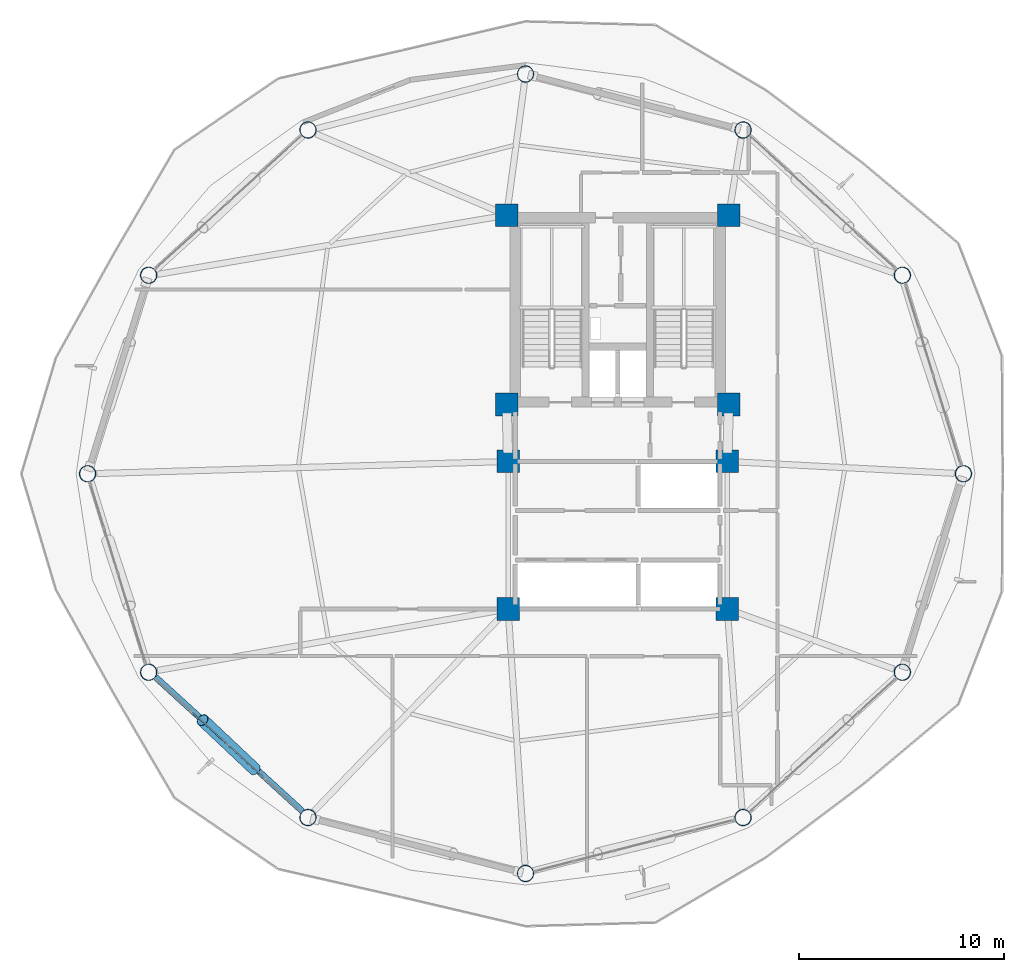
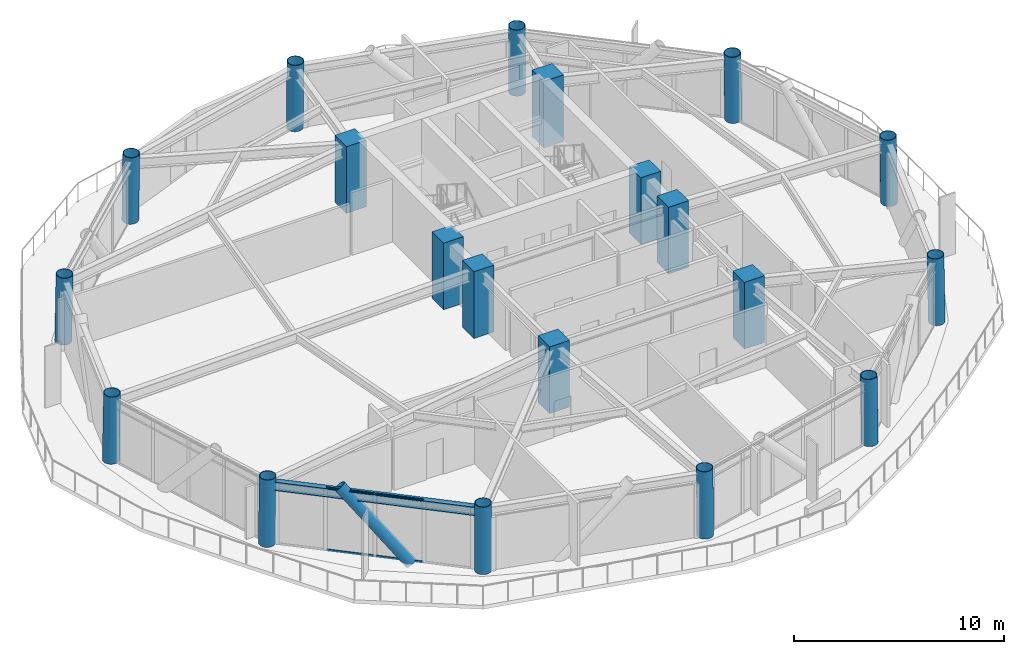
# One storey, part 1 of 23: 20 columns, 5 members, 1 beam, 1 element without a shape of its own.
"""IFC4 building model written with IfcOpenShell, lengths in metres."""

from ifc_helpers import new_model, si_unit, direction, frame, origin, origin_2d, place, context, subcontext, project, spatial, rectangle, hollow_rectangle, hollow_circle, i_section, extrude, material, layer, layer_set, material_profile, profile_set, type_object, element, aggregate, save


model = new_model("IFC4")

# Units and contexts
model_context = context("Model", 3, precision=1e-05, world=origin(), true_north=direction((0.0, 1.0)))
body_context = subcontext(model_context, "Body", "Model", "MODEL_VIEW")
ifc_project = project(units=[si_unit("LENGTHUNIT", "METRE"), si_unit("AREAUNIT", "SQUARE_METRE"), si_unit("VOLUMEUNIT", "CUBIC_METRE"), si_unit("PLANEANGLEUNIT", "RADIAN"), si_unit("MASSUNIT", "GRAM", prefix="KILO")], contexts=[model_context])

# Site, building, storey
site_placement = place(None, origin())
site = spatial("IfcSite", under=ifc_project, at=site_placement, CompositionType="ELEMENT")
building_placement = place(site_placement, origin())
building = spatial("IfcBuilding", under=site, at=building_placement, Name="Varnakorn Sky Granary", CompositionType="ELEMENT")
storey_placement = place(building_placement, frame((0.0, 0.0, 114.89990234375)))
storey = spatial("IfcBuildingStorey", under=building, at=storey_placement, Name="L28", CompositionType="ELEMENT", Elevation=114.89990234375)

# Columns
ifc_material_1 = material(Name="Steel S460M", Category="steel")
ifc_material_profile_1 = material_profile(ifc_material_1, hollow_circle(Radius=0.406494140625, WallThickness=0.030029296875, at=origin_2d()), Name="CHS 813x30")
ifc_profile_set_1 = profile_set([ifc_material_profile_1], Name="Steel S460M")
column_type_1 = type_object("IfcColumnType", Name="COL-DC-Z2", PredefinedType="COLUMN", material=ifc_profile_set_1)
for number, where, z_axis, x_axis, name in (
    (1, (19.883056640625, 0.0, 0.0), (-0.017071604527, 0.0, 0.999854269541), (0.0, -1.0, 0.0), "Drum Perimeter Column DC01 L28"),
    (2, (16.9013671875, 9.69091796875, 0.0), (-0.014741060664, -0.006173606603, 0.999872285701), (0.386294084798, -0.922375671866, 0.0), "Drum Perimeter Column DC02 L28"),
):
    element("IfcColumn", number, at=place(storey_placement, frame(where, z_axis=z_axis, x_axis=x_axis)), inside=storey, type_object=column_type_1, Name=name, PredefinedType="COLUMN", context=body_context, shape_type="SweptSolid", body=[
        extrude(hollow_circle(Radius=0.406494140625, WallThickness=0.030029296875, at=origin_2d()), origin(), (0.0, 0.0, 1.0), 3.87548828125),
    ])
for number, where, z_axis, x_axis, name in (
    (3, (9.1240234375, 16.785400390625, 0.0), (-0.008504743175, -0.010772674688, 0.999905804975), (0.784882765533, -0.619644288579, 0.0), "Drum Perimeter Column DC03 L28"),
    (4, (-1.5, 19.51708984375, 0.0), (0.0, -0.01241083843, 0.999922982579), (1.0, 0.0, 0.0), "Drum Perimeter Column DC04 L28"),
    (5, (-12.1240234375, 16.785400390625, 0.0), (0.008504743175, -0.010772674688, 0.999905804975), (0.784882765533, 0.619644288579, 0.0), "Drum Perimeter Column DC05 L28"),
):
    element("IfcColumn", number, at=place(storey_placement, frame(where, z_axis=z_axis, x_axis=x_axis)), inside=storey, type_object=column_type_1, Name=name, PredefinedType="COLUMN", context=body_context, shape_type="SweptSolid", body=[
        extrude(hollow_circle(Radius=0.406494140625, WallThickness=0.030029296875, at=origin_2d()), origin(), (0.0, 0.0, 1.0), 3.875244140625),
    ])
for number, where, z_axis, x_axis, name in (
    (6, (-19.9013671875, 9.69091796875, 0.0), (0.014741060664, -0.006173606603, 0.999872285701), (0.386294084798, 0.922375671866, 0.0), "Drum Perimeter Column DC06 L28"),
    (7, (-22.883056640625, 0.0, 0.0), (0.017071604527, 0.0, 0.999854269541), (0.0, 1.0, 0.0), "Drum Perimeter Column DC07 L28"),
    (8, (-19.9013671875, -9.69091796875, 0.0), (0.014741060664, 0.006173606603, 0.999872285701), (-0.386294084798, 0.922375671866, 0.0), "Drum Perimeter Column DC08 L28"),
):
    element("IfcColumn", number, at=place(storey_placement, frame(where, z_axis=z_axis, x_axis=x_axis)), inside=storey, type_object=column_type_1, Name=name, PredefinedType="COLUMN", context=body_context, shape_type="SweptSolid", body=[
        extrude(hollow_circle(Radius=0.406494140625, WallThickness=0.030029296875, at=origin_2d()), origin(), (0.0, 0.0, 1.0), 3.87548828125),
    ])
for number, where, z_axis, x_axis, name in (
    (9, (-12.1240234375, -16.785400390625, 0.0), (0.008504743175, 0.010772674688, 0.999905804975), (-0.784882765533, 0.619644288579, 0.0), "Drum Perimeter Column DC09 L28"),
    (10, (-1.5, -19.51708984375, 0.0), (0.0, 0.01241083843, 0.999922982579), (-1.0, 0.0, 0.0), "Drum Perimeter Column DC10 L28"),
    (11, (9.1240234375, -16.785400390625, 0.0), (-0.008504743175, 0.010772674688, 0.999905804975), (-0.784882765533, -0.619644288579, 0.0), "Drum Perimeter Column DC11 L28"),
):
    element("IfcColumn", number, at=place(storey_placement, frame(where, z_axis=z_axis, x_axis=x_axis)), inside=storey, type_object=column_type_1, Name=name, PredefinedType="COLUMN", context=body_context, shape_type="SweptSolid", body=[
        extrude(hollow_circle(Radius=0.406494140625, WallThickness=0.030029296875, at=origin_2d()), origin(), (0.0, 0.0, 1.0), 3.875244140625),
    ])
column_placement = place(storey_placement, frame((16.9013671875, -9.69091796875, 0.0), z_axis=(-0.014741060664, 0.006173606603, 0.999872285701), x_axis=(-0.386294084798, -0.922375671866, 0.0)))
element("IfcColumn", 12, at=column_placement, inside=storey, type_object=column_type_1, Name="Drum Perimeter Column DC12 L28", PredefinedType="COLUMN", context=body_context, shape_type="SweptSolid", body=[
    extrude(hollow_circle(Radius=0.406494140625, WallThickness=0.030029296875, at=origin_2d()), origin(), (0.0, 0.0, 1.0), 3.87548828125),
])
ifc_material_2 = material(Name="Concrete C60/75", Category="concrete")
ifc_material_profile_2 = material_profile(ifc_material_2, rectangle(XDim=1.10009765625, YDim=1.10009765625, at=origin_2d()), Name="RC 1100x1100")
ifc_profile_set_2 = profile_set([ifc_material_profile_2], Name="Concrete C60/75")
column_type_2 = type_object("IfcColumnType", Name="COL-MC-Z2", PredefinedType="COLUMN", material=ifc_profile_set_2)
for number, where, z_axis, x_axis, name in (
    (13, (-2.419921875, 12.6201171875, 0.0), (0.0, 0.0, 1.0), (1.0, 0.0, 0.0), "Backbone Mega-Column MC1 L28"),
    (14, (8.419921875, 12.6201171875, 0.0), (0.0, 0.0, 1.0), (1.0, 0.0, 0.0), "Backbone Mega-Column MC2 L28"),
    (15, (-2.419921875, 3.3798828125, 0.0), (0.0, 0.0, 1.0), (1.0, 0.0, 0.0), "Backbone Mega-Column MC3 L28"),
    (16, (8.419921875, 3.3798828125, 0.0), (0.0, 0.0, 1.0), (1.0, 0.0, 0.0), "Backbone Mega-Column MC4 L28"),
    (17, (-2.35009765625, 0.60009765625, 0.0), (0.0, 0.0, 1.0), (1.0, 0.0, 0.0), "Backbone Mega-Column MC5 L28"),
    (18, (8.35009765625, 0.60009765625, 0.0), (0.0, 0.0, 1.0), (1.0, 0.0, 0.0), "Backbone Mega-Column MC6 L28"),
    (19, (-2.35009765625, -6.60009765625, 0.0), (0.0, 0.0, 1.0), (1.0, 0.0, 0.0), "Backbone Mega-Column MC7 L28"),
    (20, (8.35009765625, -6.60009765625, 0.0), (0.0, 0.0, 1.0), (1.0, 0.0, 0.0), "Backbone Mega-Column MC8 L28"),
):
    element("IfcColumn", number, at=place(storey_placement, frame(where, z_axis=z_axis, x_axis=x_axis)), inside=storey, type_object=column_type_2, Name=name, PredefinedType="COLUMN", context=body_context, shape_type="SweptSolid", body=[
        extrude(rectangle(XDim=1.10009765625, YDim=1.10009765625, at=origin_2d()), origin(), (0.0, 0.0, 1.0), 3.875),
    ])

# Beam
ifc_material_3 = material(Name="Steel S355JR", Category="steel")
ifc_material_profile_3 = material_profile(ifc_material_3, i_section(OverallWidth=0.300048828125, OverallDepth=0.5, WebThickness=0.014404296875, FlangeThickness=0.028076171875, at=origin_2d()), Name="HE 500 B")
ifc_profile_set_3 = profile_set([ifc_material_profile_3], Name="Steel S355JR")
beam_type = type_object("IfcBeamType", Name="BM-SPD-Z2", PredefinedType="SPANDREL", material=ifc_profile_set_3)
beam_placement = place(storey_placement, frame((-19.554931640625, -9.930908203125, 3.39013671875), z_axis=(0.738592129146, -0.674152554519, 0.0), x_axis=(0.674152554519, 0.738592129146, 0.0)))
element("IfcBeam", 21, at=beam_placement, inside=storey, type_object=beam_type, Name="Perimeter Spandrel Ring Beam RB08 L28", PredefinedType="SPANDREL", context=body_context, shape_type="SweptSolid", body=[
    extrude(i_section(OverallWidth=0.300048828125, OverallDepth=0.5, WebThickness=0.014404296875, FlangeThickness=0.028076171875, at=origin_2d()), origin(), (0.0, 0.0, 1.0), 9.714111328125),
])

# Curtain wall, members
ifc_material_4 = material(Name="Anodised Bronze Aluminium Alloy 6063-T6", Category="aluminium")
ifc_layer = layer(ifc_material_4, 0.179931640625, Name="Anodised Bronze Aluminium Alloy 6063-T6")
ifc_layer_set = layer_set([ifc_layer], Name="Anodised Bronze Aluminium Alloy 6063-T6")
curtain_wall_type = type_object("IfcCurtainWallType", Name="CW-FRM-2", PredefinedType="USERDEFINED", material=ifc_layer_set)
curtain_wall_placement = place(storey_placement, origin())
curtain_wall = element("IfcCurtainWall", 22, at=curtain_wall_placement, inside=storey, type_object=curtain_wall_type, Name="Unitised Curtain Wall CW4 CW-L28-B08", ObjectType="CURTAIN WALL", PredefinedType="USERDEFINED")
ifc_material_profile_4 = material_profile(ifc_material_4, hollow_rectangle(XDim=0.06494140625, YDim=0.1201171875, WallThickness=0.00341796875, at=origin_2d()), Name="ALU TRAN 65x120")
ifc_profile_set_4 = profile_set([ifc_material_profile_4], Name="Anodised Bronze Aluminium Alloy 6063-T6")
member_type_1 = type_object("IfcMemberType", Name="CW-FRM-2-TRAN", PredefinedType="USERDEFINED", material=ifc_profile_set_4)
member_1_placement = place(storey_placement, frame((-14.2666015625, -14.8310546875, 0.03271484375), z_axis=(-0.738762361329, 0.673966003211, 0.0), x_axis=(-0.673966003211, -0.738762361329, 0.0)))
member_1 = element("IfcMember", 23, at=member_1_placement, type_object=member_type_1, Name="CW4 transom 2.1", ObjectType="TRANSOM", PredefinedType="USERDEFINED", context=body_context, shape_type="SweptSolid", body=[
    extrude(hollow_rectangle(XDim=0.06494140625, YDim=0.1201171875, WallThickness=0.00341796875, at=origin_2d()), origin(), (0.0, 0.0, 1.0), 2.32861328125),
])
member_2_placement = place(storey_placement, frame((-14.2666015625, -14.8310546875, 3.607666015625), z_axis=(-0.738762361329, 0.673966003211, 0.0), x_axis=(-0.673966003211, -0.738762361329, 0.0)))
member_2 = element("IfcMember", 24, at=member_2_placement, type_object=member_type_1, Name="CW4 transom 2.2", ObjectType="TRANSOM", PredefinedType="USERDEFINED", context=body_context, shape_type="SweptSolid", body=[
    extrude(hollow_rectangle(XDim=0.06494140625, YDim=0.1201171875, WallThickness=0.00341796875, at=origin_2d()), origin(), (0.0, 0.0, 1.0), 2.32861328125),
])
member_3_placement = place(storey_placement, frame((-16.03857421875, -13.214599609375, 0.03271484375), z_axis=(-0.738762361329, 0.673966003211, 0.0), x_axis=(-0.673966003211, -0.738762361329, 0.0)))
member_3 = element("IfcMember", 25, at=member_3_placement, type_object=member_type_1, Name="CW4 transom 3.1", ObjectType="TRANSOM", PredefinedType="USERDEFINED", context=body_context, shape_type="SweptSolid", body=[
    extrude(hollow_rectangle(XDim=0.06494140625, YDim=0.1201171875, WallThickness=0.00341796875, at=origin_2d()), origin(), (0.0, 0.0, 1.0), 2.32861328125),
])
member_4_placement = place(storey_placement, frame((-16.03857421875, -13.214599609375, 3.607666015625), z_axis=(-0.738762361329, 0.673966003211, 0.0), x_axis=(-0.673966003211, -0.738762361329, 0.0)))
member_4 = element("IfcMember", 26, at=member_4_placement, type_object=member_type_1, Name="CW4 transom 3.2", ObjectType="TRANSOM", PredefinedType="USERDEFINED", context=body_context, shape_type="SweptSolid", body=[
    extrude(hollow_rectangle(XDim=0.06494140625, YDim=0.1201171875, WallThickness=0.00341796875, at=origin_2d()), origin(), (0.0, 0.0, 1.0), 2.32861328125),
])
aggregate(curtain_wall, [member_1, member_2, member_3, member_4])

# Member
ifc_material_profile_5 = material_profile(ifc_material_1, hollow_circle(Radius=0.304931640625, WallThickness=0.022216796875, at=origin_2d()), Name="CHS 610x22")
ifc_profile_set_5 = profile_set([ifc_material_profile_5], Name="Steel S460M")
member_type_2 = type_object("IfcMemberType", Name="MB-DIAG-T1", PredefinedType="BRACE", material=ifc_profile_set_5)
member_5_placement = place(storey_placement, frame((-14.71630859375, -14.42041015625, -0.1298828125), z_axis=(-0.484413165286, 0.456049560868, 0.746567266446), x_axis=(-0.685469332772, -0.728101499675, 0.0)))
element("IfcMember", 27, at=member_5_placement, inside=storey, type_object=member_type_2, Name="Perimeter CHS Diagrid Brace DG08 L28", PredefinedType="BRACE", context=body_context, shape_type="SweptSolid", body=[
    extrude(hollow_circle(Radius=0.304931640625, WallThickness=0.022216796875, at=origin_2d()), origin(), (0.0, 0.0, 1.0), 5.25048828125),
])

save(model, "model.ifc")
